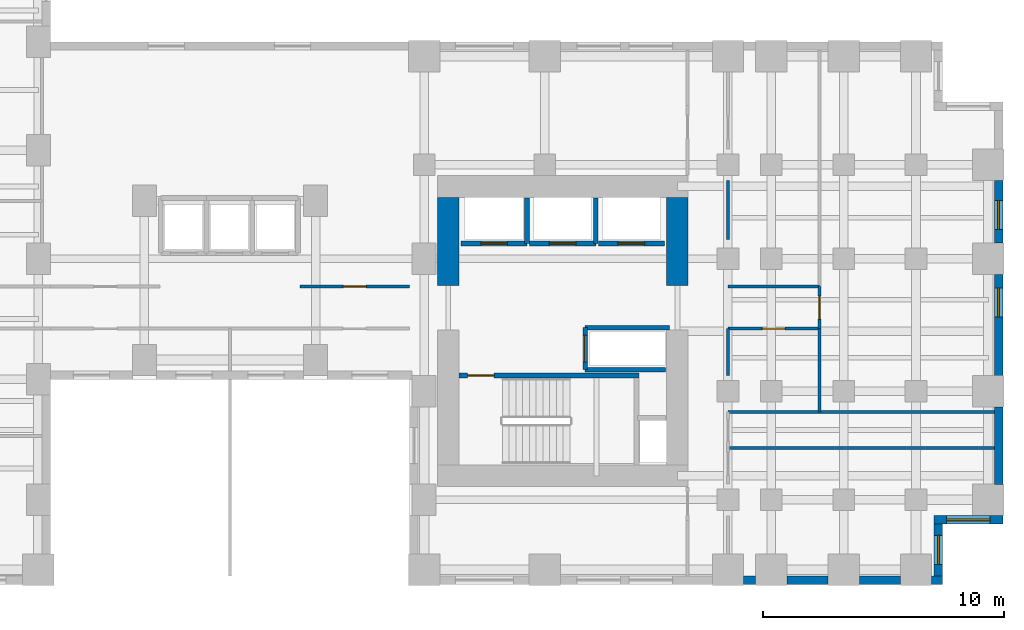
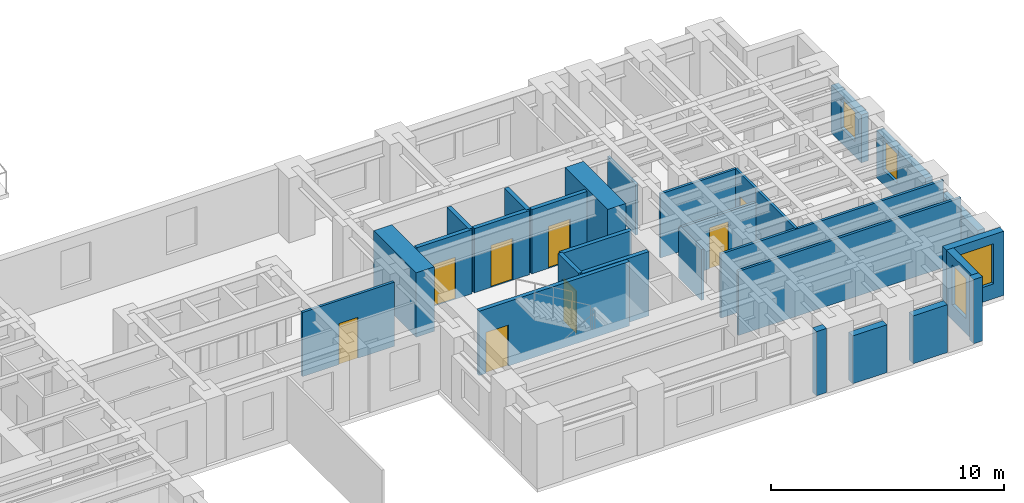
# One storey, part 7 of 11: 29 walls, 8 doors, 4 windows, 12 openings.
"""IFC4 building model written with IfcOpenShell, lengths in metres."""

from ifc_helpers import new_model, si_unit, direction, frame, frame_2d, origin, place, context, subcontext, project, spatial, rectangle, extrude, source, transform, mapped, material, layer, layer_set, type_object, element, fill, save


model = new_model("IFC4")

# Units and contexts
model_context = context("Model", 3, precision=1e-05, world=origin(), true_north=direction((0.0, 1.0)))
body_context = subcontext(model_context, "Body", "Model", "MODEL_VIEW")
ifc_project = project(units=[si_unit("LENGTHUNIT", "METRE"), si_unit("AREAUNIT", "SQUARE_METRE"), si_unit("VOLUMEUNIT", "CUBIC_METRE"), si_unit("PLANEANGLEUNIT", "RADIAN"), si_unit("MASSUNIT", "GRAM", prefix="KILO")], contexts=[model_context])

# Site, building, storey
site_placement = place(None, origin())
site = spatial("IfcSite", under=ifc_project, at=site_placement, CompositionType="ELEMENT")
building_placement = place(site_placement, origin())
building = spatial("IfcBuilding", under=site, at=building_placement, Name="Kharzan Plaza Tower", CompositionType="ELEMENT")
storey_placement = place(building_placement, frame((0.0, 0.0, 40.5)))
storey = spatial("IfcBuildingStorey", under=building, at=storey_placement, Name="L10", CompositionType="ELEMENT", Elevation=40.5)

# Wall, opening, window
ifc_material_1 = material(Name="Concrete C40/50", Category="concrete")
ifc_layer_1 = layer(ifc_material_1, 0.35009765625)
ifc_layer_set_1 = layer_set([ifc_layer_1], Name="Concrete C40/50")
wall_type_1 = type_object("IfcWallType", Name="WL-EXT-MAS-Z1", PredefinedType="SOLIDWALL", material=ifc_layer_set_1)
wall_1_placement = place(storey_placement, frame((56.324951171875, 0.347900390625, 0.0), z_axis=(0.0, 0.0, 1.0), x_axis=(0.0, 1.0, 0.0)))
wall_1 = element("IfcWall", 1, at=wall_1_placement, inside=storey, type_object=wall_type_1, Name="L10 Masonry-Frame Exterior Wall 39", PredefinedType="SOLIDWALL", context=body_context, shape_type="SweptSolid", body=[
    extrude(rectangle(XDim=2.154052734375, YDim=0.35009765625, at=frame_2d((1.0771484375, 0.0))), origin(), (0.0, 0.0, 1.0), 3.364990234375),
])
opening_1_placement = place(wall_1_placement, frame((0.47705078125, 0.0, 0.780029296875)))
opening_1 = element("IfcOpeningElement", 2, at=opening_1_placement, cuts=wall_1, Name="Opening W3", PredefinedType="OPENING", context=body_context, shape_type="SweptSolid", body=[
    extrude(rectangle(XDim=1.199951171875, YDim=2.10009765625, at=frame_2d((0.60009765625, 1.050048828125))), frame((0.0, 0.18505859375, 0.0), z_axis=(0.0, -1.0, 0.0), x_axis=(1.0, 0.0, 0.0)), (0.0, 0.0, 1.0), 0.3701171875),
])
ifc_material_2 = material(Name="Low-E Double Glazing", Category="glass")
window_type_1 = type_object("IfcWindowType", Name="WN-REC-1200x2100", PartitioningType="SINGLE_PANEL", PredefinedType="WINDOW", material=ifc_material_2)
shared_shape_1 = source(origin(), body_context, "Body", "SweptSolid", [
    extrude(rectangle(XDim=1.199951171875, YDim=2.10009765625, at=frame_2d((0.60009765625, 1.050048828125))), frame((0.0, 0.030029296875, 0.0), z_axis=(0.0, -1.0, 0.0), x_axis=(1.0, 0.0, 0.0)), (0.0, 0.0, 1.0), 0.06005859375),
])
window_1_placement = place(opening_1_placement, origin())
window_1 = element("IfcWindow", 3, at=window_1_placement, inside=storey, type_object=window_type_1, Name="L10 Recessed Solar-Control Window 39-1", OverallHeight=2.10009765625, OverallWidth=1.199951171875, PartitioningType="SINGLE_PANEL", PredefinedType="WINDOW", context=body_context, shape_type="MappedRepresentation", body=[
    mapped(shared_shape_1, transform((0.0, 0.0, 0.0), x_axis=(1.0, 0.0, 0.0), y_axis=(0.0, 1.0, 0.0), z_axis=(0.0, 0.0, 1.0))),
])
fill(opening_1, window_1)

wall_2_placement = place(storey_placement, frame((56.14990234375, 2.675048828125, 0.0), z_axis=(0.0, 0.0, 1.0), x_axis=(1.0, 0.0, 0.0)))
wall_2 = element("IfcWall", 4, at=wall_2_placement, inside=storey, type_object=wall_type_1, Name="L10 Masonry-Frame Exterior Wall 40", PredefinedType="SOLIDWALL", context=body_context, shape_type="SweptSolid", body=[
    extrude(rectangle(XDim=2.85009765625, YDim=0.35009765625, at=frame_2d((1.425048828125, 0.0))), origin(), (0.0, 0.0, 1.0), 3.364990234375),
])
opening_2_placement = place(wall_2_placement, frame((0.52490234375, 0.0, 0.780029296875)))
opening_2 = element("IfcOpeningElement", 5, at=opening_2_placement, cuts=wall_2, Name="Opening W1", PredefinedType="OPENING", context=body_context, shape_type="SweptSolid", body=[
    extrude(rectangle(XDim=1.800048828125, YDim=2.10009765625, at=frame_2d((0.89990234375, 1.050048828125))), frame((0.0, 0.18505859375, 0.0), z_axis=(0.0, -1.0, 0.0), x_axis=(1.0, 0.0, 0.0)), (0.0, 0.0, 1.0), 0.3701171875),
])
window_type_2 = type_object("IfcWindowType", Name="WN-REC-1800x2100", PartitioningType="SINGLE_PANEL", PredefinedType="WINDOW", material=ifc_material_2)
shared_shape_2 = source(origin(), body_context, "Body", "SweptSolid", [
    extrude(rectangle(XDim=1.800048828125, YDim=2.10009765625, at=frame_2d((0.89990234375, 1.050048828125))), frame((0.0, 0.030029296875, 0.0), z_axis=(0.0, -1.0, 0.0), x_axis=(1.0, 0.0, 0.0)), (0.0, 0.0, 1.0), 0.06005859375),
])
window_2_placement = place(opening_2_placement, origin())
window_2 = element("IfcWindow", 6, at=window_2_placement, inside=storey, type_object=window_type_2, Name="L10 Recessed Solar-Control Window 40-1", OverallHeight=2.10009765625, OverallWidth=1.800048828125, PartitioningType="SINGLE_PANEL", PredefinedType="WINDOW", context=body_context, shape_type="MappedRepresentation", body=[
    mapped(shared_shape_2, transform((0.0, 0.0, 0.0), x_axis=(1.0, 0.0, 0.0), y_axis=(0.0, 1.0, 0.0), z_axis=(0.0, 0.0, 1.0))),
])
fill(opening_2, window_2)

wall_3_placement = place(storey_placement, frame((58.824951171875, 8.64794921875, 0.0), z_axis=(0.0, 0.0, 1.0), x_axis=(0.0, 1.0, 0.0)))
wall_3 = element("IfcWall", 7, at=wall_3_placement, inside=storey, type_object=wall_type_1, Name="L10 Masonry-Frame Exterior Wall 42", PredefinedType="SOLIDWALL", context=body_context, shape_type="SweptSolid", body=[
    extrude(rectangle(XDim=4.2041015625, YDim=0.35009765625, at=frame_2d((2.10205078125, 0.0))), origin(), (0.0, 0.0, 1.0), 2.510009765625),
])
opening_3_placement = place(wall_3_placement, frame((2.436767578125, 0.0, 0.780029296875)))
opening_3 = element("IfcOpeningElement", 8, at=opening_3_placement, cuts=wall_3, Name="Opening W3", PredefinedType="OPENING", context=body_context, shape_type="SweptSolid", body=[
    extrude(rectangle(XDim=1.199951171875, YDim=1.550048828125, at=frame_2d((0.60009765625, 0.77490234375))), frame((0.0, 0.18505859375, 0.0), z_axis=(0.0, -1.0, 0.0), x_axis=(1.0, 0.0, 0.0)), (0.0, 0.0, 1.0), 0.3701171875),
])
shared_shape_3 = source(origin(), body_context, "Body", "SweptSolid", [
    extrude(rectangle(XDim=1.199951171875, YDim=1.550048828125, at=frame_2d((0.60009765625, 0.77490234375))), frame((0.0, 0.030029296875, 0.0), z_axis=(0.0, -1.0, 0.0), x_axis=(1.0, 0.0, 0.0)), (0.0, 0.0, 1.0), 0.06005859375),
])
window_3_placement = place(opening_3_placement, origin())
window_3 = element("IfcWindow", 9, at=window_3_placement, inside=storey, type_object=window_type_1, Name="L10 Recessed Solar-Control Window 42-1", OverallHeight=1.550048828125, OverallWidth=1.199951171875, PartitioningType="SINGLE_PANEL", PredefinedType="WINDOW", context=body_context, shape_type="MappedRepresentation", body=[
    mapped(shared_shape_3, transform((0.0, 0.0, 0.0), x_axis=(1.0, 0.0, 0.0), y_axis=(0.0, 1.0, 0.0), z_axis=(0.0, 0.0, 1.0))),
])
fill(opening_3, window_3)

wall_4_placement = place(storey_placement, frame((58.824951171875, 14.14794921875, 0.0), z_axis=(0.0, 0.0, 1.0), x_axis=(0.0, 1.0, 0.0)))
wall_4 = element("IfcWall", 10, at=wall_4_placement, inside=storey, type_object=wall_type_1, Name="L10 Masonry-Frame Exterior Wall 43", PredefinedType="SOLIDWALL", context=body_context, shape_type="SweptSolid", body=[
    extrude(rectangle(XDim=2.60400390625, YDim=0.35009765625, at=frame_2d((1.302001953125, 0.0))), origin(), (0.0, 0.0, 1.0), 2.510009765625),
])
opening_4_placement = place(wall_4_placement, frame((0.5673828125, 0.0, 0.780029296875)))
opening_4 = element("IfcOpeningElement", 11, at=opening_4_placement, cuts=wall_4, Name="Opening W3", PredefinedType="OPENING", context=body_context, shape_type="SweptSolid", body=[
    extrude(rectangle(XDim=1.199951171875, YDim=1.550048828125, at=frame_2d((0.60009765625, 0.77490234375))), frame((0.0, 0.18505859375, 0.0), z_axis=(0.0, -1.0, 0.0), x_axis=(1.0, 0.0, 0.0)), (0.0, 0.0, 1.0), 0.3701171875),
])
window_4_placement = place(opening_4_placement, origin())
window_4 = element("IfcWindow", 12, at=window_4_placement, inside=storey, type_object=window_type_1, Name="L10 Recessed Solar-Control Window 43-1", OverallHeight=1.550048828125, OverallWidth=1.199951171875, PartitioningType="SINGLE_PANEL", PredefinedType="WINDOW", context=body_context, shape_type="MappedRepresentation", body=[
    mapped(shared_shape_3, transform((0.0, 0.0, 0.0), x_axis=(1.0, 0.0, 0.0), y_axis=(0.0, 1.0, 0.0), z_axis=(0.0, 0.0, 1.0))),
])
fill(opening_4, window_4)

# Wall, opening, door
ifc_material_3 = material(Name="Fire-Rated Gypsum Board Partition", Category="gypsum")
ifc_layer_2 = layer(ifc_material_3, 0.125)
ifc_layer_set_2 = layer_set([ifc_layer_2], Name="Fire-Rated Gypsum Board Partition")
wall_type_2 = type_object("IfcWallType", Name="WL-INT-PART-125", PredefinedType="PARTITIONING", material=ifc_layer_set_2)
wall_5_placement = place(storey_placement, frame((51.39990234375, 10.60009765625, 0.0), z_axis=(0.0, 0.0, 1.0), x_axis=(0.0, 1.0, 0.0)))
wall_5 = element("IfcWall", 13, at=wall_5_placement, inside=storey, type_object=wall_type_2, Name="L10 Interior Partition SH-B2E2", PredefinedType="PARTITIONING", context=body_context, shape_type="SweptSolid", body=[
    extrude(rectangle(XDim=1.75, YDim=0.125, at=frame_2d((0.875, 0.0))), origin(), (0.0, 0.0, 1.0), 3.364990234375),
])
opening_5_placement = place(wall_5_placement, frame((0.39990234375, 0.0, 0.0)))
opening_5 = element("IfcOpeningElement", 14, at=opening_5_placement, cuts=wall_5, Name="Opening OD1", PredefinedType="OPENING", context=body_context, shape_type="SweptSolid", body=[
    extrude(rectangle(XDim=0.949951171875, YDim=2.14990234375, at=frame_2d((0.47509765625, 1.074951171875))), frame((0.0, 0.072509765625, 0.0), z_axis=(0.0, -1.0, 0.0), x_axis=(1.0, 0.0, 0.0)), (0.0, 0.0, 1.0), 0.14501953125),
])
ifc_material_4 = material(Name="Acoustic Solid-Core Stained Oak", Category="timber")
door_type_1 = type_object("IfcDoorType", Name="DR-OFF-SINGLE", OperationType="NOTDEFINED", PredefinedType="DOOR", material=ifc_material_4)
shared_shape_4 = source(origin(), body_context, "Body", "SweptSolid", [
    extrude(rectangle(XDim=0.949951171875, YDim=2.14990234375, at=frame_2d((0.47509765625, 1.074951171875))), frame((0.0, 0.02490234375, 0.0), z_axis=(0.0, -1.0, 0.0), x_axis=(1.0, 0.0, 0.0)), (0.0, 0.0, 1.0), 0.050048828125),
])
door_1_placement = place(opening_5_placement, origin())
door_1 = element("IfcDoor", 15, at=door_1_placement, inside=storey, type_object=door_type_1, Name="L10 East Boardroom Door", OperationType="SINGLE_SWING_RIGHT", OverallHeight=2.14990234375, OverallWidth=0.949951171875, PredefinedType="DOOR", context=body_context, shape_type="MappedRepresentation", body=[
    mapped(shared_shape_4, transform((0.0, 0.0, 0.0), x_axis=(1.0, 0.0, 0.0), y_axis=(0.0, 1.0, 0.0), z_axis=(0.0, 0.0, 1.0))),
])
fill(opening_5, door_1)

wall_6_placement = place(storey_placement, frame((47.60009765625, 10.60009765625, 0.0), z_axis=(0.0, 0.0, 1.0), x_axis=(1.0, 0.0, 0.0)))
wall_6 = element("IfcWall", 16, at=wall_6_placement, inside=storey, type_object=wall_type_2, Name="L10 Interior Partition SH-B2S1", PredefinedType="PARTITIONING", context=body_context, shape_type="SweptSolid", body=[
    extrude(rectangle(XDim=3.7998046875, YDim=0.125, at=frame_2d((1.89990234375, 0.0))), origin(), (0.0, 0.0, 1.0), 2.669921875),
])
opening_6_placement = place(wall_6_placement, frame((1.425048828125, 0.0, 0.0)))
opening_6 = element("IfcOpeningElement", 17, at=opening_6_placement, cuts=wall_6, Name="Opening OD1", PredefinedType="OPENING", context=body_context, shape_type="SweptSolid", body=[
    extrude(rectangle(XDim=0.949951171875, YDim=2.14990234375, at=frame_2d((0.47509765625, 1.074951171875))), frame((0.0, 0.072509765625, 0.0), z_axis=(0.0, -1.0, 0.0), x_axis=(1.0, 0.0, 0.0)), (0.0, 0.0, 1.0), 0.14501953125),
])
door_2_placement = place(opening_6_placement, origin())
door_2 = element("IfcDoor", 18, at=door_2_placement, inside=storey, type_object=door_type_1, Name="L10 Spur South Office Door", OperationType="SINGLE_SWING_LEFT", OverallHeight=2.14990234375, OverallWidth=0.949951171875, PredefinedType="DOOR", context=body_context, shape_type="MappedRepresentation", body=[
    mapped(shared_shape_4, transform((0.0, 0.0, 0.0), x_axis=(1.0, 0.0, 0.0), y_axis=(0.0, 1.0, 0.0), z_axis=(0.0, 0.0, 1.0))),
])
fill(opening_6, door_2)

wall_7_placement = place(storey_placement, frame((29.85009765625, 12.35009765625, 0.0), z_axis=(0.0, 0.0, 1.0), x_axis=(1.0, 0.0, 0.0)))
wall_7 = element("IfcWall", 19, at=wall_7_placement, inside=storey, type_object=wall_type_2, Name="L10 Interior Partition SH-SPNE1", PredefinedType="PARTITIONING", context=body_context, shape_type="SweptSolid", body=[
    extrude(rectangle(XDim=4.5498046875, YDim=0.125, at=frame_2d((2.27490234375, 0.0))), origin(), (0.0, 0.0, 1.0), 3.364990234375),
])
opening_7_placement = place(wall_7_placement, frame((1.800048828125, 0.0, 0.0)))
opening_7 = element("IfcOpeningElement", 20, at=opening_7_placement, cuts=wall_7, Name="Opening OD1", PredefinedType="OPENING", context=body_context, shape_type="SweptSolid", body=[
    extrude(rectangle(XDim=0.949951171875, YDim=2.14990234375, at=frame_2d((0.47509765625, 1.074951171875))), frame((0.0, 0.072509765625, 0.0), z_axis=(0.0, -1.0, 0.0), x_axis=(1.0, 0.0, 0.0)), (0.0, 0.0, 1.0), 0.14501953125),
])
door_3_placement = place(opening_7_placement, origin())
door_3 = element("IfcDoor", 21, at=door_3_placement, inside=storey, type_object=door_type_1, Name="L10 North-East Spine Door", OperationType="SINGLE_SWING_RIGHT", OverallHeight=2.14990234375, OverallWidth=0.949951171875, PredefinedType="DOOR", context=body_context, shape_type="MappedRepresentation", body=[
    mapped(shared_shape_4, transform((0.0, 0.0, 0.0), x_axis=(1.0, 0.0, 0.0), y_axis=(0.0, 1.0, 0.0), z_axis=(0.0, 0.0, 1.0))),
])
fill(opening_7, door_3)

ifc_layer_3 = layer(ifc_material_1, 0.199951171875)
ifc_layer_set_3 = layer_set([ifc_layer_3], Name="Concrete C40/50")
wall_type_3 = type_object("IfcWallType", Name="WL-INT-SHAFT-200", PredefinedType="PARTITIONING", material=ifc_layer_set_3)
wall_8_placement = place(storey_placement, frame((36.530029296875, 14.1298828125, 0.0), z_axis=(0.0, 0.0, 1.0), x_axis=(1.0, 0.0, 0.0)))
wall_8 = element("IfcWall", 22, at=wall_8_placement, inside=storey, type_object=wall_type_3, Name="L10 Interior Partition SHF-PL-L1-S", PredefinedType="PARTITIONING", context=body_context, shape_type="SweptSolid", body=[
    extrude(rectangle(XDim=2.739990234375, YDim=0.199951171875, at=frame_2d((1.3701171875, 0.0))), origin(), (0.0, 0.0, 1.0), 3.364990234375),
])
opening_8_placement = place(wall_8_placement, frame((0.820068359375, 0.0, 0.0)))
opening_8 = element("IfcOpeningElement", 23, at=opening_8_placement, cuts=wall_8, Name="Opening LD", PredefinedType="OPENING", context=body_context, shape_type="SweptSolid", body=[
    extrude(rectangle(XDim=1.10009765625, YDim=2.199951171875, at=frame_2d((0.550048828125, 1.10009765625))), frame((0.0, 0.10986328125, 0.0), z_axis=(0.0, -1.0, 0.0), x_axis=(1.0, 0.0, 0.0)), (0.0, 0.0, 1.0), 0.219970703125),
])
ifc_material_5 = material(Name="Brushed Stainless Steel", Category="steel")
door_type_2 = type_object("IfcDoorType", Name="DR-LIFT-SLIDE", OperationType="SLIDING_TO_LEFT", PredefinedType="DOOR", material=ifc_material_5)
shared_shape_5 = source(origin(), body_context, "Body", "SweptSolid", [
    extrude(rectangle(XDim=1.10009765625, YDim=2.199951171875, at=frame_2d((0.550048828125, 1.10009765625))), frame((0.0, 0.02490234375, 0.0), z_axis=(0.0, -1.0, 0.0), x_axis=(1.0, 0.0, 0.0)), (0.0, 0.0, 1.0), 0.050048828125),
])
door_4_placement = place(opening_8_placement, origin())
door_4 = element("IfcDoor", 24, at=door_4_placement, inside=storey, type_object=door_type_2, Name="L10 Low-Rise Passenger Lift PL-L1 Sliding Landing Door", OperationType="SLIDING_TO_LEFT", OverallHeight=2.199951171875, OverallWidth=1.10009765625, PredefinedType="DOOR", context=body_context, shape_type="MappedRepresentation", body=[
    mapped(shared_shape_5, transform((0.0, 0.0, 0.0), x_axis=(1.0, 0.0, 0.0), y_axis=(0.0, 1.0, 0.0), z_axis=(0.0, 0.0, 1.0))),
])
fill(opening_8, door_4)

wall_9_placement = place(storey_placement, frame((39.3798828125, 14.1298828125, 0.0), z_axis=(0.0, 0.0, 1.0), x_axis=(1.0, 0.0, 0.0)))
wall_9 = element("IfcWall", 25, at=wall_9_placement, inside=storey, type_object=wall_type_3, Name="L10 Interior Partition SHF-PL-L2-S", PredefinedType="PARTITIONING", context=body_context, shape_type="SweptSolid", body=[
    extrude(rectangle(XDim=2.740234375, YDim=0.199951171875, at=frame_2d((1.3701171875, 0.0))), origin(), (0.0, 0.0, 1.0), 3.364990234375),
])
opening_9_placement = place(wall_9_placement, frame((0.820068359375, 0.0, 0.0)))
opening_9 = element("IfcOpeningElement", 26, at=opening_9_placement, cuts=wall_9, Name="Opening LD", PredefinedType="OPENING", context=body_context, shape_type="SweptSolid", body=[
    extrude(rectangle(XDim=1.10009765625, YDim=2.199951171875, at=frame_2d((0.550048828125, 1.10009765625))), frame((0.0, 0.10986328125, 0.0), z_axis=(0.0, -1.0, 0.0), x_axis=(1.0, 0.0, 0.0)), (0.0, 0.0, 1.0), 0.219970703125),
])
door_5_placement = place(opening_9_placement, origin())
door_5 = element("IfcDoor", 27, at=door_5_placement, inside=storey, type_object=door_type_2, Name="L10 Low-Rise Passenger Lift PL-L2 Sliding Landing Door", OperationType="SLIDING_TO_LEFT", OverallHeight=2.199951171875, OverallWidth=1.10009765625, PredefinedType="DOOR", context=body_context, shape_type="MappedRepresentation", body=[
    mapped(shared_shape_5, transform((0.0, 0.0, 0.0), x_axis=(1.0, 0.0, 0.0), y_axis=(0.0, 1.0, 0.0), z_axis=(0.0, 0.0, 1.0))),
])
fill(opening_9, door_5)

wall_10_placement = place(storey_placement, frame((42.22998046875, 14.1298828125, 0.0), z_axis=(0.0, 0.0, 1.0), x_axis=(1.0, 0.0, 0.0)))
wall_10 = element("IfcWall", 28, at=wall_10_placement, inside=storey, type_object=wall_type_3, Name="L10 Interior Partition SHF-PL-L3-S", PredefinedType="PARTITIONING", context=body_context, shape_type="SweptSolid", body=[
    extrude(rectangle(XDim=2.739990234375, YDim=0.199951171875, at=frame_2d((1.3701171875, 0.0))), origin(), (0.0, 0.0, 1.0), 3.364990234375),
])
opening_10_placement = place(wall_10_placement, frame((0.820068359375, 0.0, 0.0)))
opening_10 = element("IfcOpeningElement", 29, at=opening_10_placement, cuts=wall_10, Name="Opening LD", PredefinedType="OPENING", context=body_context, shape_type="SweptSolid", body=[
    extrude(rectangle(XDim=1.10009765625, YDim=2.199951171875, at=frame_2d((0.550048828125, 1.10009765625))), frame((0.0, 0.10986328125, 0.0), z_axis=(0.0, -1.0, 0.0), x_axis=(1.0, 0.0, 0.0)), (0.0, 0.0, 1.0), 0.219970703125),
])
door_6_placement = place(opening_10_placement, origin())
door_6 = element("IfcDoor", 30, at=door_6_placement, inside=storey, type_object=door_type_2, Name="L10 Low-Rise Passenger Lift PL-L3 Sliding Landing Door", OperationType="SLIDING_TO_LEFT", OverallHeight=2.199951171875, OverallWidth=1.10009765625, PredefinedType="DOOR", context=body_context, shape_type="MappedRepresentation", body=[
    mapped(shared_shape_5, transform((0.0, 0.0, 0.0), x_axis=(1.0, 0.0, 0.0), y_axis=(0.0, 1.0, 0.0), z_axis=(0.0, 0.0, 1.0))),
])
fill(opening_10, door_6)

wall_11_placement = place(storey_placement, frame((41.679931640625, 8.89990234375, 0.0), z_axis=(0.0, 0.0, 1.0), x_axis=(0.0, 1.0, 0.0)))
wall_11 = element("IfcWall", 31, at=wall_11_placement, inside=storey, type_object=wall_type_3, Name="L10 Interior Partition SHF-SVL-2-W", PredefinedType="PARTITIONING", context=body_context, shape_type="SweptSolid", body=[
    extrude(rectangle(XDim=1.739990234375, YDim=0.199951171875, at=frame_2d((0.8701171875, 0.0))), origin(), (0.0, 0.0, 1.0), 3.364990234375),
])
opening_11_placement = place(wall_11_placement, frame((0.320068359375, 0.0, 0.0)))
opening_11 = element("IfcOpeningElement", 32, at=opening_11_placement, cuts=wall_11, Name="Opening LD", PredefinedType="OPENING", context=body_context, shape_type="SweptSolid", body=[
    extrude(rectangle(XDim=1.10009765625, YDim=2.199951171875, at=frame_2d((0.550048828125, 1.10009765625))), frame((0.0, 0.10986328125, 0.0), z_axis=(0.0, -1.0, 0.0), x_axis=(1.0, 0.0, 0.0)), (0.0, 0.0, 1.0), 0.219970703125),
])
door_7_placement = place(opening_11_placement, origin())
door_7 = element("IfcDoor", 33, at=door_7_placement, inside=storey, type_object=door_type_2, Name="L10 Service Lift SVL-2 Sliding Landing Door", OperationType="SLIDING_TO_LEFT", OverallHeight=2.199951171875, OverallWidth=1.10009765625, PredefinedType="DOOR", context=body_context, shape_type="MappedRepresentation", body=[
    mapped(shared_shape_5, transform((0.0, 0.0, 0.0), x_axis=(1.0, 0.0, 0.0), y_axis=(0.0, 1.0, 0.0), z_axis=(0.0, 0.0, 1.0))),
])
fill(opening_11, door_7)

ifc_material_6 = material(Name="Concrete C50/60", Category="concrete")
ifc_layer_4 = layer(ifc_material_6, 0.199951171875)
ifc_layer_set_4 = layer_set([ifc_layer_4], Name="Concrete C50/60")
wall_type_4 = type_object("IfcWallType", Name="WL-SHAFT-RC200", PredefinedType="SHEAR", material=ifc_layer_set_4)
wall_12_placement = place(storey_placement, frame((36.451904296875, 8.655029296875, 0.0), z_axis=(0.0, 0.0, 1.0), x_axis=(1.0, 0.0, 0.0)))
wall_12 = element("IfcWall", 34, at=wall_12_placement, inside=storey, type_object=wall_type_4, Name="L10 Stair ST-3 North RC Shaft Wall", PredefinedType="SHEAR", context=body_context, shape_type="SweptSolid", body=[
    extrude(rectangle(XDim=7.453125, YDim=0.199951171875, at=frame_2d((3.7265625, 0.0))), origin(), (0.0, 0.0, 1.0), 3.3798828125),
])
opening_12_placement = place(wall_12_placement, frame((0.35009765625, 0.0, 0.0)))
opening_12 = element("IfcOpeningElement", 35, at=opening_12_placement, cuts=wall_12, Name="Opening SD1", PredefinedType="OPENING", context=body_context, shape_type="SweptSolid", body=[
    extrude(rectangle(XDim=1.10009765625, YDim=2.14990234375, at=frame_2d((0.550048828125, 1.074951171875))), frame((0.0, 0.10986328125, 0.0), z_axis=(0.0, -1.0, 0.0), x_axis=(1.0, 0.0, 0.0)), (0.0, 0.0, 1.0), 0.219970703125),
])
ifc_material_7 = material(Name="Fire-Rated Hollow Galvanized Steel", Category="steel")
door_type_3 = type_object("IfcDoorType", Name="DR-STAIR-FD120", OperationType="NOTDEFINED", PredefinedType="DOOR", material=ifc_material_7)
shared_shape_6 = source(origin(), body_context, "Body", "SweptSolid", [
    extrude(rectangle(XDim=1.10009765625, YDim=2.14990234375, at=frame_2d((0.550048828125, 1.074951171875))), frame((0.0, 0.02490234375, 0.0), z_axis=(0.0, -1.0, 0.0), x_axis=(1.0, 0.0, 0.0)), (0.0, 0.0, 1.0), 0.050048828125),
])
door_8_placement = place(opening_12_placement, origin())
door_8 = element("IfcDoor", 36, at=door_8_placement, inside=storey, type_object=door_type_3, Name="L10 Stair ST-3 Fire Exit Door", OperationType="SINGLE_SWING_RIGHT", OverallHeight=2.14990234375, OverallWidth=1.10009765625, PredefinedType="DOOR", context=body_context, shape_type="MappedRepresentation", body=[
    mapped(shared_shape_6, transform((0.0, 0.0, 0.0), x_axis=(1.0, 0.0, 0.0), y_axis=(0.0, 1.0, 0.0), z_axis=(0.0, 0.0, 1.0))),
])
fill(opening_12, door_8)

# Walls
ifc_material_8 = material(Name="Concrete C60/75", Category="concrete")
ifc_layer_5 = layer(ifc_material_8, 0.89990234375)
ifc_layer_set_5 = layer_set([ifc_layer_5], Name="Concrete C60/75")
wall_type_5 = type_object("IfcWallType", Name="WL-CORE-900", PredefinedType="SHEAR", material=ifc_layer_set_5)
shared_shape_7 = source(origin(), body_context, "Body", "SweptSolid", [
    extrude(rectangle(XDim=3.650146484375, YDim=0.89990234375, at=frame_2d((1.8251953125, 0.0))), origin(), (0.0, 0.0, 1.0), 3.3798828125),
])
for number, where, z_axis, x_axis, name in (
    (37, (45.5, 12.39990234375, 0.0), (0.0, 0.0, 1.0), (0.0, 1.0, 0.0), "L10 CORE-B east shear pier 2"),
    (38, (36.0, 12.39990234375, 0.0), (0.0, 0.0, 1.0), (0.0, 1.0, 0.0), "L10 CORE-B west shear pier 2"),
):
    element("IfcWall", number, at=place(storey_placement, frame(where, z_axis=z_axis, x_axis=x_axis)), inside=storey, type_object=wall_type_5, Name=name, PredefinedType="SHEAR", context=body_context, shape_type="MappedRepresentation", body=[
        mapped(shared_shape_7, transform((0.0, 0.0, 0.0), x_axis=(1.0, 0.0, 0.0), y_axis=(0.0, 1.0, 0.0), z_axis=(0.0, 0.0, 1.0))),
    ])
shared_shape_8 = source(origin(), body_context, "Body", "SweptSolid", [
    extrude(rectangle(XDim=0.50390625, YDim=0.35009765625, at=frame_2d((0.251953125, 0.0))), origin(), (0.0, 0.0, 1.0), 3.364990234375),
])
wall_13_placement = place(storey_placement, frame((48.248046875, 0.175048828125, 0.0), z_axis=(0.0, 0.0, 1.0), x_axis=(1.0, 0.0, 0.0)))
element("IfcWall", 39, at=wall_13_placement, inside=storey, type_object=wall_type_1, Name="L10 Masonry-Frame Exterior Wall 35", PredefinedType="SOLIDWALL", context=body_context, shape_type="MappedRepresentation", body=[
    mapped(shared_shape_8, transform((0.0, 0.0, 0.0), x_axis=(1.0, 0.0, 0.0), y_axis=(0.0, 1.0, 0.0), z_axis=(0.0, 0.0, 1.0))),
])
shared_shape_9 = source(origin(), body_context, "Body", "SweptSolid", [
    extrude(rectangle(XDim=1.703857421875, YDim=0.35009765625, at=frame_2d((0.85205078125, 0.0))), origin(), (0.0, 0.0, 1.0), 2.510009765625),
])
for number, where, z_axis, x_axis, name in (
    (40, (50.048095703125, 0.175048828125, 0.0), (0.0, 0.0, 1.0), (1.0, 0.0, 0.0), "L10 Masonry-Frame Exterior Wall 36"),
    (41, (53.048095703125, 0.175048828125, 0.0), (0.0, 0.0, 1.0), (1.0, 0.0, 0.0), "L10 Masonry-Frame Exterior Wall 37"),
):
    element("IfcWall", number, at=place(storey_placement, frame(where, z_axis=z_axis, x_axis=x_axis)), inside=storey, type_object=wall_type_1, Name=name, PredefinedType="SOLIDWALL", context=body_context, shape_type="MappedRepresentation", body=[
        mapped(shared_shape_9, transform((0.0, 0.0, 0.0), x_axis=(1.0, 0.0, 0.0), y_axis=(0.0, 1.0, 0.0), z_axis=(0.0, 0.0, 1.0))),
    ])
shared_shape_10 = source(origin(), body_context, "Body", "SweptSolid", [
    extrude(rectangle(XDim=0.451904296875, YDim=0.35009765625, at=frame_2d((0.22607421875, 0.0))), origin(), (0.0, 0.0, 1.0), 3.364990234375),
])
wall_14_placement = place(storey_placement, frame((56.048095703125, 0.175048828125, 0.0), z_axis=(0.0, 0.0, 1.0), x_axis=(1.0, 0.0, 0.0)))
element("IfcWall", 42, at=wall_14_placement, inside=storey, type_object=wall_type_1, Name="L10 Masonry-Frame Exterior Wall 38", PredefinedType="SOLIDWALL", context=body_context, shape_type="MappedRepresentation", body=[
    mapped(shared_shape_10, transform((0.0, 0.0, 0.0), x_axis=(1.0, 0.0, 0.0), y_axis=(0.0, 1.0, 0.0), z_axis=(0.0, 0.0, 1.0))),
])
shared_shape_11 = source(origin(), body_context, "Body", "SweptSolid", [
    extrude(rectangle(XDim=3.2041015625, YDim=0.35009765625, at=frame_2d((1.60205078125, 0.0))), origin(), (0.0, 0.0, 1.0), 2.510009765625),
])
wall_15_placement = place(storey_placement, frame((58.824951171875, 4.14794921875, 0.0), z_axis=(0.0, 0.0, 1.0), x_axis=(0.0, 1.0, 0.0)))
element("IfcWall", 43, at=wall_15_placement, inside=storey, type_object=wall_type_1, Name="L10 Masonry-Frame Exterior Wall 41", PredefinedType="SOLIDWALL", context=body_context, shape_type="MappedRepresentation", body=[
    mapped(shared_shape_11, transform((0.0, 0.0, 0.0), x_axis=(1.0, 0.0, 0.0), y_axis=(0.0, 1.0, 0.0), z_axis=(0.0, 0.0, 1.0))),
])
shared_shape_12 = source(origin(), body_context, "Body", "SweptSolid", [
    extrude(rectangle(XDim=11.0478515625, YDim=0.125, at=frame_2d((5.52392578125, 0.0))), origin(), (0.0, 0.0, 1.0), 3.364990234375),
])
for number, where, z_axis, x_axis, name in (
    (44, (47.60009765625, 5.64990234375, 0.0), (0.0, 0.0, 1.0), (1.0, 0.0, 0.0), "L10 Interior Partition SH-B2H1"),
    (45, (47.60009765625, 7.14990234375, 0.0), (0.0, 0.0, 1.0), (1.0, 0.0, 0.0), "L10 Interior Partition SH-B2H2"),
):
    element("IfcWall", number, at=place(storey_placement, frame(where, z_axis=z_axis, x_axis=x_axis)), inside=storey, type_object=wall_type_2, Name=name, PredefinedType="PARTITIONING", context=body_context, shape_type="MappedRepresentation", body=[
        mapped(shared_shape_12, transform((0.0, 0.0, 0.0), x_axis=(1.0, 0.0, 0.0), y_axis=(0.0, 1.0, 0.0), z_axis=(0.0, 0.0, 1.0))),
    ])
shared_shape_13 = source(origin(), body_context, "Body", "SweptSolid", [
    extrude(rectangle(XDim=1.89013671875, YDim=0.199951171875, at=frame_2d((0.945068359375, 0.0))), origin(), (0.0, 0.0, 1.0), 3.364990234375),
])
for number, where, z_axis, x_axis, name in (
    (46, (39.27001953125, 14.1298828125, 0.0), (0.0, 0.0, 1.0), (0.0, 1.0, 0.0), "L10 Interior Partition SHF-PL-L1-E"),
    (47, (42.1201171875, 14.1298828125, 0.0), (0.0, 0.0, 1.0), (0.0, 1.0, 0.0), "L10 Interior Partition SHF-PL-L2-E"),
):
    element("IfcWall", number, at=place(storey_placement, frame(where, z_axis=z_axis, x_axis=x_axis)), inside=storey, type_object=wall_type_3, Name=name, PredefinedType="PARTITIONING", context=body_context, shape_type="MappedRepresentation", body=[
        mapped(shared_shape_13, transform((0.0, 0.0, 0.0), x_axis=(1.0, 0.0, 0.0), y_axis=(0.0, 1.0, 0.0), z_axis=(0.0, 0.0, 1.0))),
    ])
shared_shape_14 = source(origin(), body_context, "Body", "SweptSolid", [
    extrude(rectangle(XDim=3.489990234375, YDim=0.199951171875, at=frame_2d((1.7451171875, 0.0))), origin(), (0.0, 0.0, 1.0), 3.364990234375),
])
wall_16_placement = place(storey_placement, frame((41.679931640625, 10.639892578125, 0.0), z_axis=(0.0, 0.0, 1.0), x_axis=(1.0, 0.0, 0.0)))
element("IfcWall", 48, at=wall_16_placement, inside=storey, type_object=wall_type_3, Name="L10 Interior Partition SHF-SVL-2-N", PredefinedType="PARTITIONING", context=body_context, shape_type="MappedRepresentation", body=[
    mapped(shared_shape_14, transform((0.0, 0.0, 0.0), x_axis=(1.0, 0.0, 0.0), y_axis=(0.0, 1.0, 0.0), z_axis=(0.0, 0.0, 1.0))),
])
shared_shape_15 = source(origin(), body_context, "Body", "SweptSolid", [
    extrude(rectangle(XDim=3.340087890625, YDim=0.199951171875, at=frame_2d((1.669921875, 0.0))), origin(), (0.0, 0.0, 1.0), 3.364990234375),
])
wall_17_placement = place(storey_placement, frame((41.679931640625, 8.89990234375, 0.0), z_axis=(0.0, 0.0, 1.0), x_axis=(1.0, 0.0, 0.0)))
element("IfcWall", 49, at=wall_17_placement, inside=storey, type_object=wall_type_3, Name="L10 Interior Partition SHF-SVL-2-S", PredefinedType="PARTITIONING", context=body_context, shape_type="MappedRepresentation", body=[
    mapped(shared_shape_15, transform((0.0, 0.0, 0.0), x_axis=(1.0, 0.0, 0.0), y_axis=(0.0, 1.0, 0.0), z_axis=(0.0, 0.0, 1.0))),
])
shared_shape_16 = source(origin(), body_context, "Body", "SweptSolid", [
    extrude(rectangle(XDim=3.7998046875, YDim=0.125, at=frame_2d((1.89990234375, 0.0))), origin(), (0.0, 0.0, 1.0), 3.364990234375),
])
wall_18_placement = place(storey_placement, frame((47.60009765625, 12.35009765625, 0.0), z_axis=(0.0, 0.0, 1.0), x_axis=(1.0, 0.0, 0.0)))
element("IfcWall", 50, at=wall_18_placement, inside=storey, type_object=wall_type_2, Name="L10 Interior Partition SH-B2N3", PredefinedType="PARTITIONING", context=body_context, shape_type="MappedRepresentation", body=[
    mapped(shared_shape_16, transform((0.0, 0.0, 0.0), x_axis=(1.0, 0.0, 0.0), y_axis=(0.0, 1.0, 0.0), z_axis=(0.0, 0.0, 1.0))),
])
shared_shape_17 = source(origin(), body_context, "Body", "SweptSolid", [
    extrude(rectangle(XDim=3.4501953125, YDim=0.125, at=frame_2d((1.72509765625, 0.0))), origin(), (0.0, 0.0, 1.0), 3.364990234375),
])
wall_19_placement = place(storey_placement, frame((51.39990234375, 7.14990234375, 0.0), z_axis=(0.0, 0.0, 1.0), x_axis=(0.0, 1.0, 0.0)))
element("IfcWall", 51, at=wall_19_placement, inside=storey, type_object=wall_type_2, Name="L10 Interior Partition SH-B2V1", PredefinedType="PARTITIONING", context=body_context, shape_type="MappedRepresentation", body=[
    mapped(shared_shape_17, transform((0.0, 0.0, 0.0), x_axis=(1.0, 0.0, 0.0), y_axis=(0.0, 1.0, 0.0), z_axis=(0.0, 0.0, 1.0))),
])
shared_shape_18 = source(origin(), body_context, "Body", "SweptSolid", [
    extrude(rectangle(XDim=1.940185546875, YDim=0.125, at=frame_2d((0.97021484375, 0.0))), origin(), (0.0, 0.0, 1.0), 2.669921875),
])
wall_20_placement = place(storey_placement, frame((47.60009765625, 8.659912109375, 0.0), z_axis=(0.0, 0.0, 1.0), x_axis=(0.0, 1.0, 0.0)))
element("IfcWall", 52, at=wall_20_placement, inside=storey, type_object=wall_type_2, Name="L10 Interior Partition SH-B2W1C", PredefinedType="PARTITIONING", context=body_context, shape_type="MappedRepresentation", body=[
    mapped(shared_shape_18, transform((0.0, 0.0, 0.0), x_axis=(1.0, 0.0, 0.0), y_axis=(0.0, 1.0, 0.0), z_axis=(0.0, 0.0, 1.0))),
])
shared_shape_19 = source(origin(), body_context, "Body", "SweptSolid", [
    extrude(rectangle(XDim=2.43994140625, YDim=0.125, at=frame_2d((1.219970703125, 0.0))), origin(), (0.0, 0.0, 1.0), 2.669921875),
])
wall_21_placement = place(storey_placement, frame((47.60009765625, 14.300048828125, 0.0), z_axis=(0.0, 0.0, 1.0), x_axis=(0.0, 1.0, 0.0)))
element("IfcWall", 53, at=wall_21_placement, inside=storey, type_object=wall_type_2, Name="L10 Interior Partition SH-B2W3D-S1", PredefinedType="PARTITIONING", context=body_context, shape_type="MappedRepresentation", body=[
    mapped(shared_shape_19, transform((0.0, 0.0, 0.0), x_axis=(1.0, 0.0, 0.0), y_axis=(0.0, 1.0, 0.0), z_axis=(0.0, 0.0, 1.0))),
])

save(model, "model.ifc")
